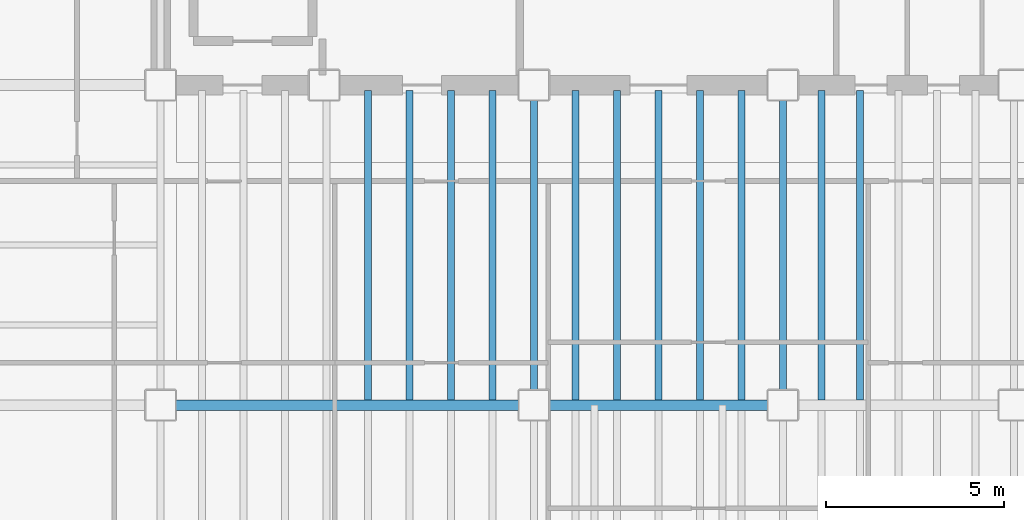
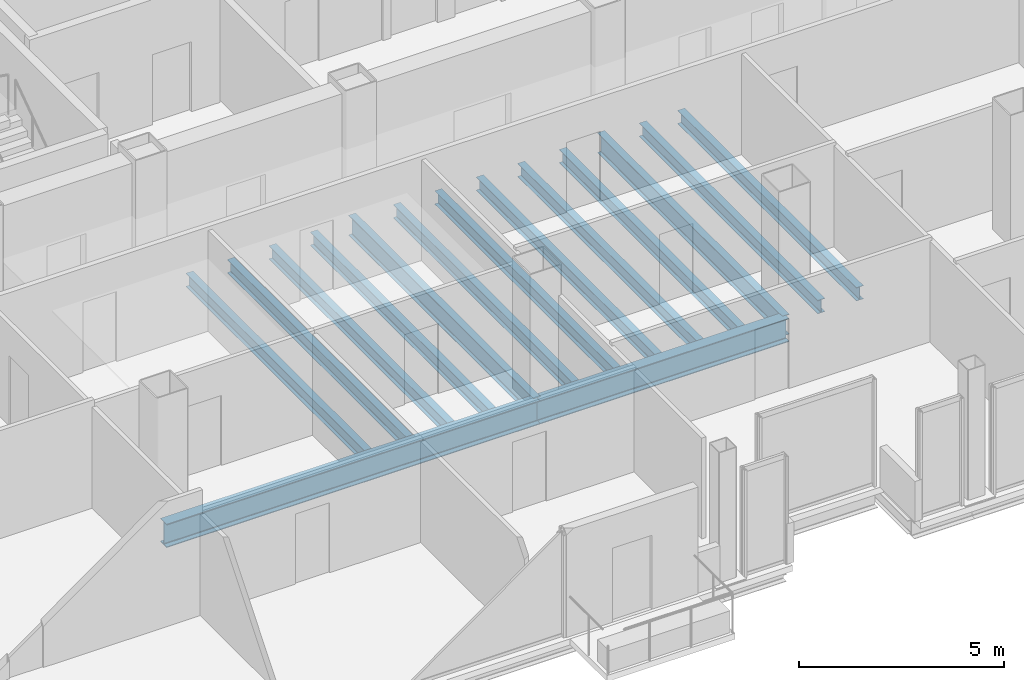
# One storey, part 7 of 22: 15 beams.
"""IFC4 building model written with IfcOpenShell, lengths in metres."""

from ifc_helpers import new_model, si_unit, direction, frame, origin, origin_2d, place, context, subcontext, project, spatial, i_section, extrude, material, material_profile, profile_set, type_object, element, save


model = new_model("IFC4")

# Units and contexts
model_context = context("Model", 3, precision=1e-05, world=origin(), true_north=direction((0.0, 1.0)))
body_context = subcontext(model_context, "Body", "Model", "MODEL_VIEW")
ifc_project = project(units=[si_unit("LENGTHUNIT", "METRE"), si_unit("AREAUNIT", "SQUARE_METRE"), si_unit("VOLUMEUNIT", "CUBIC_METRE"), si_unit("PLANEANGLEUNIT", "RADIAN"), si_unit("MASSUNIT", "GRAM", prefix="KILO")], contexts=[model_context])

# Site, building, storey
site_placement = place(None, origin())
site = spatial("IfcSite", under=ifc_project, at=site_placement, CompositionType="ELEMENT")
building_placement = place(site_placement, origin())
building = spatial("IfcBuilding", under=site, at=building_placement, Name="Noeulbin Bourse Tower", CompositionType="ELEMENT")
storey_placement = place(building_placement, frame((0.0, 0.0, 130.5)))
storey = spatial("IfcBuildingStorey", under=building, at=storey_placement, Name="L32", CompositionType="ELEMENT", Elevation=130.5)

# Beams
ifc_material = material(Name="Steel S355", Category="steel")
ifc_material_profile_1 = material_profile(ifc_material, i_section(OverallWidth=0.199951171875, OverallDepth=0.60009765625, WebThickness=0.010986328125, FlangeThickness=0.01708984375, FilletRadius=0.02197265625, at=origin_2d()), Name="H-600x200x11x17", Category="LoadBearing")
ifc_profile_set_1 = profile_set([ifc_material_profile_1], Name="Steel S355")
beam_type_1 = type_object("IfcBeamType", Name="BM-GRD-600", PredefinedType="USERDEFINED", material=ifc_profile_set_1)
for number, where, z_axis, x_axis, name in (
    (1, (24.0, 20.0, -0.47998046875), (0.0, 1.0, 0.0), (-1.0, 0.0, 0.0), "Tower Primary Girder NS L32-2.2"),
    (2, (31.0, 20.0, -0.47998046875), (0.0, 1.0, 0.0), (-1.0, 0.0, 0.0), "Tower Primary Girder NS L32-3.2"),
):
    element("IfcBeam", number, at=place(storey_placement, frame(where, z_axis=z_axis, x_axis=x_axis)), inside=storey, type_object=beam_type_1, Name=name, ObjectType="GIRDER", PredefinedType="USERDEFINED", context=body_context, shape_type="SweptSolid", body=[
        extrude(i_section(OverallWidth=0.199951171875, OverallDepth=0.60009765625, WebThickness=0.010986328125, FlangeThickness=0.01708984375, FilletRadius=0.02197265625, at=origin_2d()), origin(), (0.0, 0.0, 1.0), 9.0),
    ])
ifc_material_profile_2 = material_profile(ifc_material, i_section(OverallWidth=0.300048828125, OverallDepth=0.699951171875, WebThickness=0.012939453125, FlangeThickness=0.02392578125, FilletRadius=0.02392578125, at=origin_2d()), Name="H-700x300x13x24", Category="LoadBearing")
ifc_profile_set_2 = profile_set([ifc_material_profile_2], Name="Steel S355")
beam_type_2 = type_object("IfcBeamType", Name="BM-GRD-700", PredefinedType="USERDEFINED", material=ifc_profile_set_2)
beam_1_placement = place(storey_placement, frame((13.5, 20.0, -0.530029296875), z_axis=(1.0, 0.0, 0.0), x_axis=(0.0, 1.0, 0.0)))
element("IfcBeam", 3, at=beam_1_placement, inside=storey, type_object=beam_type_2, Name="Tower Primary Girder EW L32-1.2", ObjectType="GIRDER", PredefinedType="USERDEFINED", context=body_context, shape_type="SweptSolid", body=[
    extrude(i_section(OverallWidth=0.300048828125, OverallDepth=0.699951171875, WebThickness=0.012939453125, FlangeThickness=0.02392578125, FilletRadius=0.02392578125, at=origin_2d()), origin(), (0.0, 0.0, 1.0), 10.5),
])
beam_2_placement = place(storey_placement, frame((24.0, 20.0, -0.530029296875), z_axis=(1.0, 0.0, 0.0), x_axis=(0.0, 1.0, 0.0)))
element("IfcBeam", 4, at=beam_2_placement, inside=storey, type_object=beam_type_2, Name="Tower Primary Girder EW L32-1.3", ObjectType="GIRDER", PredefinedType="USERDEFINED", context=body_context, shape_type="SweptSolid", body=[
    extrude(i_section(OverallWidth=0.300048828125, OverallDepth=0.699951171875, WebThickness=0.012939453125, FlangeThickness=0.02392578125, FilletRadius=0.02392578125, at=origin_2d()), origin(), (0.0, 0.0, 1.0), 7.0),
])
ifc_material_profile_3 = material_profile(ifc_material, i_section(OverallWidth=0.199951171875, OverallDepth=0.39990234375, WebThickness=0.008056640625, FlangeThickness=0.012939453125, FilletRadius=0.01611328125, at=origin_2d()), Name="H-400x200x8x13", Category="LoadBearing")
ifc_profile_set_3 = profile_set([ifc_material_profile_3], Name="Steel S355")
beam_type_3 = type_object("IfcBeamType", Name="BM-SEC-400", PredefinedType="BEAM", material=ifc_profile_set_3)
for number, where, z_axis, x_axis, name in (
    (5, (19.333251953125, 20.14990234375, -0.3798828125), (0.0, 1.0, 0.0), (-1.0, 0.0, 0.0), "Tower Composite Joist L32-10"),
    (6, (20.5, 20.14990234375, -0.3798828125), (0.0, 1.0, 0.0), (-1.0, 0.0, 0.0), "Tower Composite Joist L32-12"),
    (7, (21.666748046875, 20.14990234375, -0.3798828125), (0.0, 1.0, 0.0), (-1.0, 0.0, 0.0), "Tower Composite Joist L32-14"),
    (8, (22.833251953125, 20.14990234375, -0.3798828125), (0.0, 1.0, 0.0), (-1.0, 0.0, 0.0), "Tower Composite Joist L32-16"),
    (9, (25.166748046875, 20.14990234375, -0.3798828125), (0.0, 1.0, 0.0), (-1.0, 0.0, 0.0), "Tower Composite Joist L32-18"),
    (10, (26.333251953125, 20.14990234375, -0.3798828125), (0.0, 1.0, 0.0), (-1.0, 0.0, 0.0), "Tower Composite Joist L32-20"),
    (11, (27.5, 20.14990234375, -0.3798828125), (0.0, 1.0, 0.0), (-1.0, 0.0, 0.0), "Tower Composite Joist L32-22"),
    (12, (28.666748046875, 20.14990234375, -0.3798828125), (0.0, 1.0, 0.0), (-1.0, 0.0, 0.0), "Tower Composite Joist L32-24"),
    (13, (29.833251953125, 20.14990234375, -0.3798828125), (0.0, 1.0, 0.0), (-1.0, 0.0, 0.0), "Tower Composite Joist L32-26"),
    (14, (32.083251953125, 20.14990234375, -0.3798828125), (0.0, 1.0, 0.0), (-1.0, 0.0, 0.0), "Tower Composite Joist L32-28"),
    (15, (33.166748046875, 20.14990234375, -0.3798828125), (0.0, 1.0, 0.0), (-1.0, 0.0, 0.0), "Tower Composite Joist L32-30"),
):
    element("IfcBeam", number, at=place(storey_placement, frame(where, z_axis=z_axis, x_axis=x_axis)), inside=storey, type_object=beam_type_3, Name=name, PredefinedType="BEAM", context=body_context, shape_type="SweptSolid", body=[
        extrude(i_section(OverallWidth=0.199951171875, OverallDepth=0.39990234375, WebThickness=0.008056640625, FlangeThickness=0.012939453125, FilletRadius=0.01611328125, at=origin_2d()), origin(), (0.0, 0.0, 1.0), 8.7001953125),
    ])

save(model, "model.ifc")
